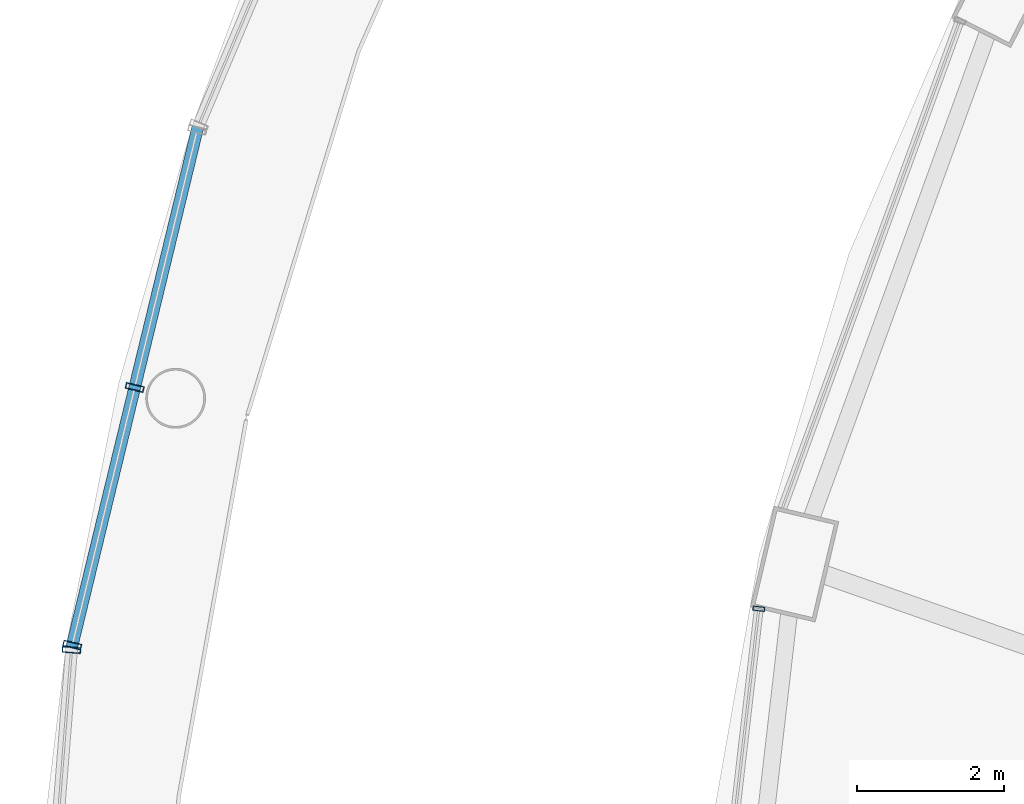
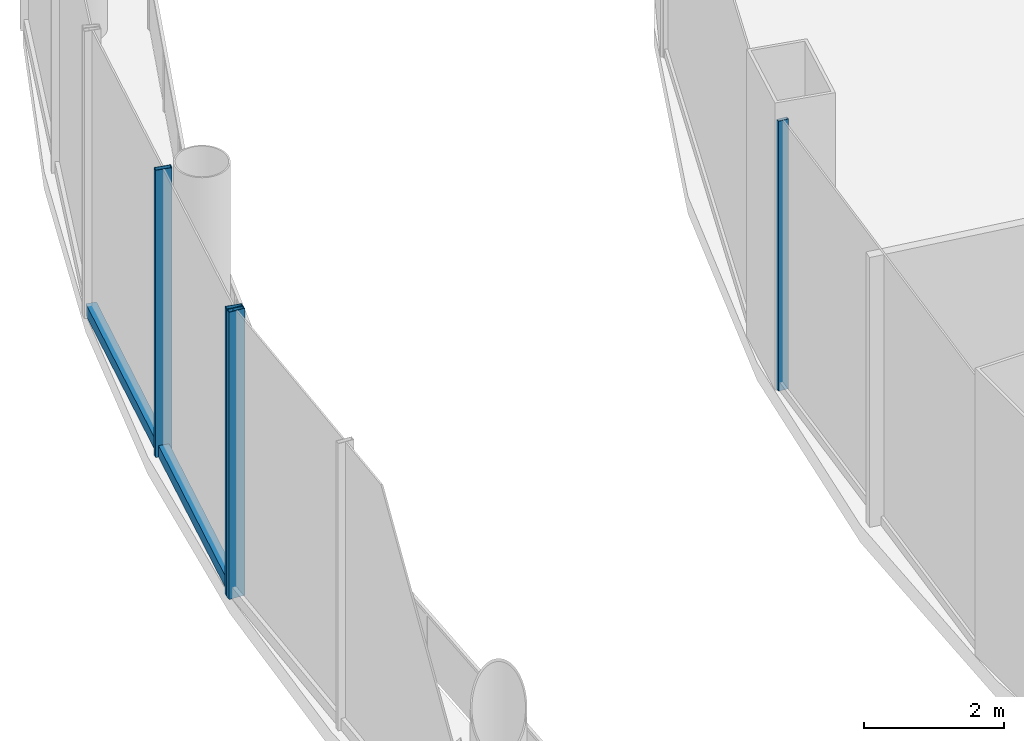
# One storey, part 19 of 47: 5 members, 3 elements without a shape of their own.
"""IFC4 building model written with IfcOpenShell, lengths in metres."""

from ifc_helpers import new_model, si_unit, direction, frame, origin, origin_2d, place, context, subcontext, project, spatial, hollow_rectangle, extrude, material, layer, layer_set, material_profile, profile_set, type_object, element, aggregate, save


model = new_model("IFC4")

# Units and contexts
model_context = context("Model", 3, precision=1e-05, world=origin(), true_north=direction((0.0, 1.0)))
body_context = subcontext(model_context, "Body", "Model", "MODEL_VIEW")
ifc_project = project(units=[si_unit("LENGTHUNIT", "METRE"), si_unit("AREAUNIT", "SQUARE_METRE"), si_unit("VOLUMEUNIT", "CUBIC_METRE"), si_unit("PLANEANGLEUNIT", "RADIAN"), si_unit("MASSUNIT", "GRAM", prefix="KILO")], contexts=[model_context])

# Site, building, storey
site_placement = place(None, origin())
site = spatial("IfcSite", under=ifc_project, at=site_placement, CompositionType="ELEMENT")
building_placement = place(site_placement, origin())
building = spatial("IfcBuilding", under=site, at=building_placement, Name="Nagisa Residences", CompositionType="ELEMENT")
storey_placement = place(building_placement, frame((0.0, 0.0, 7.0)))
storey = spatial("IfcBuildingStorey", under=building, at=storey_placement, Name="L01", CompositionType="ELEMENT", Elevation=7.0)

# Curtain wall, members
ifc_material_1 = material(Name="Stainless steel curtain wall system", Category="steel")
ifc_layer_1 = layer(ifc_material_1, 0.159912109375)
ifc_layer_set_1 = layer_set([ifc_layer_1], Name="CW3 CURTAIN WALL")
curtain_wall_type_1 = type_object("IfcCurtainWallType", Name="CW3 CURTAIN WALL", PredefinedType="NOTDEFINED", material=ifc_layer_set_1)
curtain_wall_1_placement = place(storey_placement, origin())
curtain_wall_1 = element("IfcCurtainWall", 1, at=curtain_wall_1_placement, inside=storey, type_object=curtain_wall_type_1, Name="cw:CW3:L01:16", PredefinedType="NOTDEFINED")
ifc_material_2 = material(Name="Stainless steel", Category="steel")
ifc_material_profile_1 = material_profile(ifc_material_2, hollow_rectangle(XDim=0.25, YDim=0.080078125, WallThickness=0.008056640625, at=origin_2d()), Name="CW3 MULLION 250x80")
ifc_profile_set_1 = profile_set([ifc_material_profile_1], Name="Stainless steel")
member_type_1 = type_object("IfcMemberType", Name="CW3 MULLION 250x80", PredefinedType="MULLION", material=ifc_profile_set_1)
member_1_placement = place(storey_placement, frame((-32.8876953125, 10.810302734375, 0.0), z_axis=(0.0, 0.0, 1.0), x_axis=(0.971848775146, -0.235605514043, 0.0)))
member_1 = element("IfcMember", 2, at=member_1_placement, type_object=member_type_1, Name="CW3 mullion", PredefinedType="MULLION", context=body_context, shape_type="SweptSolid", body=[
    extrude(hollow_rectangle(XDim=0.25, YDim=0.080078125, WallThickness=0.008056640625, at=origin_2d()), origin(), (0.0, 0.0, 1.0), 5.0),
])
member_2_placement = place(storey_placement, frame((-33.735595703125, 7.313232421875, 0.0), z_axis=(0.0, 0.0, 1.0), x_axis=(0.971848775146, -0.235605514043, 0.0)))
member_2 = element("IfcMember", 3, at=member_2_placement, type_object=member_type_1, Name="CW3 mullion", PredefinedType="MULLION", context=body_context, shape_type="SweptSolid", body=[
    extrude(hollow_rectangle(XDim=0.25, YDim=0.080078125, WallThickness=0.008056640625, at=origin_2d()), origin(), (0.0, 0.0, 1.0), 5.0),
])

# Curtain wall, member
curtain_wall_2_placement = place(storey_placement, origin())
curtain_wall_2 = element("IfcCurtainWall", 4, at=curtain_wall_2_placement, inside=storey, type_object=curtain_wall_type_1, Name="cw:CW3:L01:17", PredefinedType="NOTDEFINED")
member_3_placement = place(storey_placement, frame((-33.74609375, 7.2470703125, 0.0), z_axis=(0.0, 0.0, 1.0), x_axis=(0.996881777235, -0.078909582539, 0.0)))
member_3 = element("IfcMember", 5, at=member_3_placement, type_object=member_type_1, Name="CW3 mullion", PredefinedType="MULLION", context=body_context, shape_type="SweptSolid", body=[
    extrude(hollow_rectangle(XDim=0.25, YDim=0.080078125, WallThickness=0.008056640625, at=origin_2d()), origin(), (0.0, 0.0, 1.0), 5.0),
])
aggregate(curtain_wall_2, [member_3])

# Member
ifc_material_3 = material(Name="Stainless steel", Category="steel")
ifc_material_profile_2 = material_profile(ifc_material_3, hollow_rectangle(XDim=0.159912109375, YDim=0.199951171875, WallThickness=0.008056640625, at=origin_2d()), Name="CW3 TRANSOM 160x200")
ifc_profile_set_2 = profile_set([ifc_material_profile_2], Name="Stainless steel")
member_type_2 = type_object("IfcMemberType", Name="CW3 TRANSOM 160x200", PredefinedType="USERDEFINED", material=ifc_profile_set_2)
member_4_placement = place(storey_placement, frame((-32.030517578125, 14.345947265625, 0.10009765625), z_axis=(-0.235605787455, -0.971848708863, 0.0), x_axis=(0.971848708863, -0.235605787455, 0.0)))
member_4 = element("IfcMember", 6, at=member_4_placement, type_object=member_type_2, Name="CW3 transom", ObjectType="TRANSOM", PredefinedType="USERDEFINED", context=body_context, shape_type="SweptSolid", body=[
    extrude(hollow_rectangle(XDim=0.159912109375, YDim=0.199951171875, WallThickness=0.008056640625, at=origin_2d()), origin(), (0.0, 0.0, 1.0), 7.2763671875),
])

aggregate(curtain_wall_1, [member_1, member_2, member_4])

# Curtain wall, member
ifc_material_4 = material(Name="Stainless steel curtain wall system", Category="steel")
ifc_layer_2 = layer(ifc_material_4, 0.159912109375)
ifc_layer_set_2 = layer_set([ifc_layer_2], Name="CW6 CURTAIN WALL")
curtain_wall_type_2 = type_object("IfcCurtainWallType", Name="CW6 CURTAIN WALL", PredefinedType="NOTDEFINED", material=ifc_layer_set_2)
curtain_wall_3_placement = place(storey_placement, origin())
curtain_wall_3 = element("IfcCurtainWall", 7, at=curtain_wall_3_placement, inside=storey, type_object=curtain_wall_type_2, Name="cw:CW6:L01:22", PredefinedType="NOTDEFINED")
ifc_material_5 = material(Name="Stainless steel", Category="steel")
ifc_material_profile_3 = material_profile(ifc_material_5, hollow_rectangle(XDim=0.159912109375, YDim=0.06005859375, WallThickness=0.006103515625, at=origin_2d()), Name="CW6 MULLION 160x60")
ifc_profile_set_3 = profile_set([ifc_material_profile_3], Name="Stainless steel")
member_type_3 = type_object("IfcMemberType", Name="CW6 MULLION 160x60", PredefinedType="MULLION", material=ifc_profile_set_3)
member_5_placement = place(storey_placement, frame((-24.416259765625, 7.806640625, 0.0), z_axis=(0.0, 0.0, 1.0), x_axis=(0.993373823596, -0.114928006139, 0.0)))
member_5 = element("IfcMember", 8, at=member_5_placement, type_object=member_type_3, Name="CW6 mullion", PredefinedType="MULLION", context=body_context, shape_type="SweptSolid", body=[
    extrude(hollow_rectangle(XDim=0.159912109375, YDim=0.06005859375, WallThickness=0.006103515625, at=origin_2d()), origin(), (0.0, 0.0, 1.0), 4.699951171875),
])
aggregate(curtain_wall_3, [member_5])

save(model, "model.ifc")
